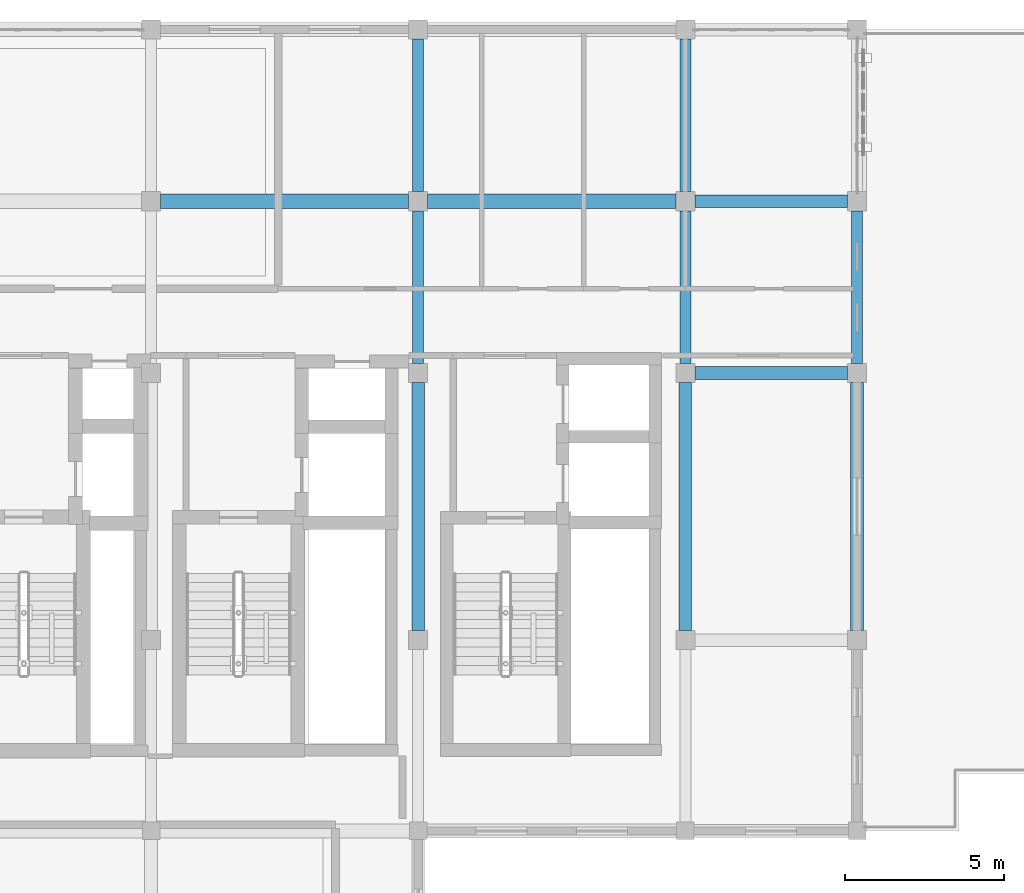
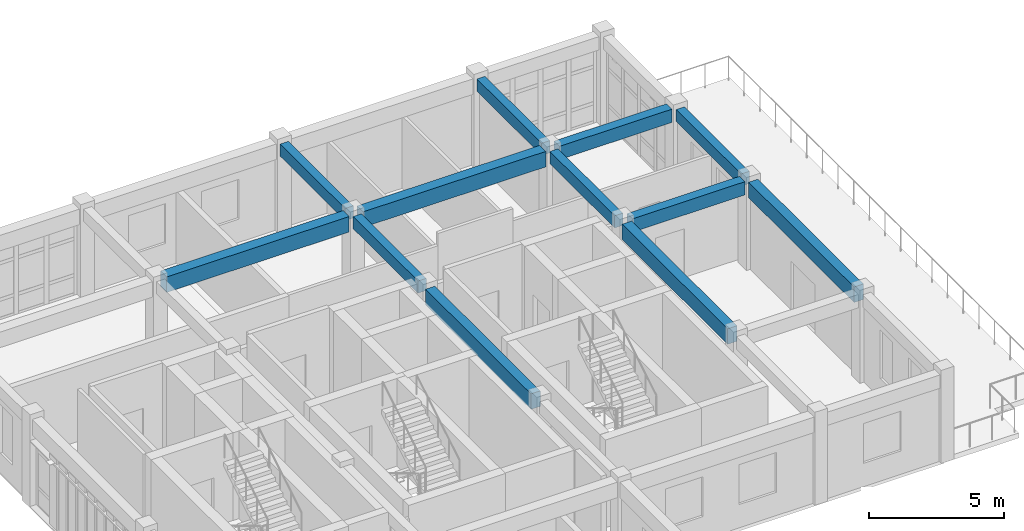
# One storey, part 11 of 21: 12 beams.
"""IFC4 building model written with IfcOpenShell, lengths in metres."""

from ifc_helpers import new_model, si_unit, direction, frame, origin, origin_2d, place, context, subcontext, project, spatial, rectangle, extrude, material, material_profile, profile_set, type_object, element, save


model = new_model("IFC4")

# Units and contexts
model_context = context("Model", 3, precision=1e-05, world=origin(), true_north=direction((0.0, 1.0)))
body_context = subcontext(model_context, "Body", "Model", "MODEL_VIEW")
ifc_project = project(units=[si_unit("LENGTHUNIT", "METRE"), si_unit("AREAUNIT", "SQUARE_METRE"), si_unit("VOLUMEUNIT", "CUBIC_METRE"), si_unit("PLANEANGLEUNIT", "RADIAN"), si_unit("MASSUNIT", "GRAM", prefix="KILO")], contexts=[model_context])

# Site, building, storey
site_placement = place(None, origin())
site = spatial("IfcSite", under=ifc_project, at=site_placement, CompositionType="ELEMENT")
building_placement = place(site_placement, origin())
building = spatial("IfcBuilding", under=site, at=building_placement, Name="Krzemoval Escarpment Law Courts", CompositionType="ELEMENT")
storey_placement = place(building_placement, frame((0.0, 0.0, 37.800048828125)))
storey = spatial("IfcBuildingStorey", under=building, at=storey_placement, Name="L08", CompositionType="ELEMENT", Elevation=37.800048828125)

# Beams
ifc_material_1 = material(Name="Concrete C40/50", Category="concrete")
ifc_material_profile_1 = material_profile(ifc_material_1, rectangle(XDim=0.35009765625, YDim=0.550048828125, at=origin_2d()), Name="RCB 350x550")
ifc_profile_set_1 = profile_set([ifc_material_profile_1], Name="Concrete C40/50")
beam_type_1 = type_object("IfcBeamType", Name="BM-RC-350x550", PredefinedType="BEAM", material=ifc_profile_set_1)
for number, where, z_axis, x_axis, name in (
    (1, (142.800048828125, 108.300048828125, 3.68505859375), (0.0, 1.0, 0.0), (-1.0, 0.0, 0.0), "Beam FG-L08-2772"),
    (2, (142.800048828125, 113.699951171875, 3.68505859375), (0.0, 1.0, 0.0), (-1.0, 0.0, 0.0), "Beam FG-L08-2773"),
    (3, (151.199951171875, 108.300048828125, 3.68505859375), (0.0, 1.0, 0.0), (-1.0, 0.0, 0.0), "Beam FG-L08-2776"),
    (4, (151.199951171875, 113.699951171875, 3.68505859375), (0.0, 1.0, 0.0), (-1.0, 0.0, 0.0), "Beam FG-L08-2777"),
    (5, (156.60009765625, 108.300048828125, 3.68505859375), (0.0, 1.0, 0.0), (-1.0, 0.0, 0.0), "Beam FG-L08-2780"),
):
    element("IfcBeam", number, at=place(storey_placement, frame(where, z_axis=z_axis, x_axis=x_axis)), inside=storey, type_object=beam_type_1, Name=name, PredefinedType="BEAM", context=body_context, shape_type="SweptSolid", body=[
        extrude(rectangle(XDim=0.35009765625, YDim=0.550048828125, at=origin_2d()), origin(), (0.0, 0.0, 1.0), 4.800048828125),
    ])
ifc_material_2 = material(Name="Concrete C40/50", Category="concrete")
ifc_material_profile_2 = material_profile(ifc_material_2, rectangle(XDim=0.39990234375, YDim=0.60009765625, at=origin_2d()), Name="RCB 400x600")
ifc_profile_set_2 = profile_set([ifc_material_profile_2], Name="Concrete C40/50")
beam_type_2 = type_object("IfcBeamType", Name="BM-RC-400x600", PredefinedType="BEAM", material=ifc_profile_set_2)
for number, where, z_axis, x_axis, name in (
    (6, (151.5, 108.0, 3.659912109375), (1.0, 0.0, 0.0), (0.0, 1.0, 0.0), "Beam FG-L08-2750"),
    (7, (151.5, 113.39990234375, 3.659912109375), (1.0, 0.0, 0.0), (0.0, 1.0, 0.0), "Beam FG-L08-2754"),
):
    element("IfcBeam", number, at=place(storey_placement, frame(where, z_axis=z_axis, x_axis=x_axis)), inside=storey, type_object=beam_type_2, Name=name, PredefinedType="BEAM", context=body_context, shape_type="SweptSolid", body=[
        extrude(rectangle(XDim=0.39990234375, YDim=0.60009765625, at=origin_2d()), origin(), (0.0, 0.0, 1.0), 4.800048828125),
    ])
ifc_material_3 = material(Name="Concrete C40/50", Category="concrete")
ifc_material_profile_3 = material_profile(ifc_material_3, rectangle(XDim=0.39990234375, YDim=0.699951171875, at=origin_2d()), Name="RCB 400x700")
ifc_profile_set_3 = profile_set([ifc_material_profile_3], Name="Concrete C40/50")
beam_type_3 = type_object("IfcBeamType", Name="BM-RC-400x700", PredefinedType="BEAM", material=ifc_profile_set_3)
for number, where, z_axis, x_axis, name in (
    (8, (142.800048828125, 99.89990234375, 3.60986328125), (0.0, 1.0, 0.0), (-1.0, 0.0, 0.0), "Beam FG-L08-2771"),
    (9, (151.199951171875, 99.89990234375, 3.60986328125), (0.0, 1.0, 0.0), (-1.0, 0.0, 0.0), "Beam FG-L08-2775"),
    (10, (156.60009765625, 99.89990234375, 3.60986328125), (0.0, 1.0, 0.0), (-1.0, 0.0, 0.0), "Beam FG-L08-2779"),
):
    element("IfcBeam", number, at=place(storey_placement, frame(where, z_axis=z_axis, x_axis=x_axis)), inside=storey, type_object=beam_type_3, Name=name, PredefinedType="BEAM", context=body_context, shape_type="SweptSolid", body=[
        extrude(rectangle(XDim=0.39990234375, YDim=0.699951171875, at=origin_2d()), origin(), (0.0, 0.0, 1.0), 7.800048828125),
    ])
ifc_material_4 = material(Name="Concrete C40/50", Category="concrete")
ifc_material_profile_4 = material_profile(ifc_material_4, rectangle(XDim=0.449951171875, YDim=0.699951171875, at=origin_2d()), Name="RCB 450x700")
ifc_profile_set_4 = profile_set([ifc_material_profile_4], Name="Concrete C40/50")
beam_type_4 = type_object("IfcBeamType", Name="BM-RC-450x700", PredefinedType="BEAM", material=ifc_profile_set_4)
beam_1_placement = place(storey_placement, frame((134.699951171875, 113.39990234375, 3.60986328125), z_axis=(1.0, 0.0, 0.0), x_axis=(0.0, 1.0, 0.0)))
element("IfcBeam", 11, at=beam_1_placement, inside=storey, type_object=beam_type_4, Name="Beam FG-L08-2752", PredefinedType="BEAM", context=body_context, shape_type="SweptSolid", body=[
    extrude(rectangle(XDim=0.449951171875, YDim=0.699951171875, at=origin_2d()), origin(), (0.0, 0.0, 1.0), 7.800048828125),
])
beam_2_placement = place(storey_placement, frame((143.10009765625, 113.39990234375, 3.60986328125), z_axis=(1.0, 0.0, 0.0), x_axis=(0.0, 1.0, 0.0)))
element("IfcBeam", 12, at=beam_2_placement, inside=storey, type_object=beam_type_4, Name="Beam FG-L08-2753", PredefinedType="BEAM", context=body_context, shape_type="SweptSolid", body=[
    extrude(rectangle(XDim=0.449951171875, YDim=0.699951171875, at=origin_2d()), origin(), (0.0, 0.0, 1.0), 7.7998046875),
])

save(model, "model.ifc")
